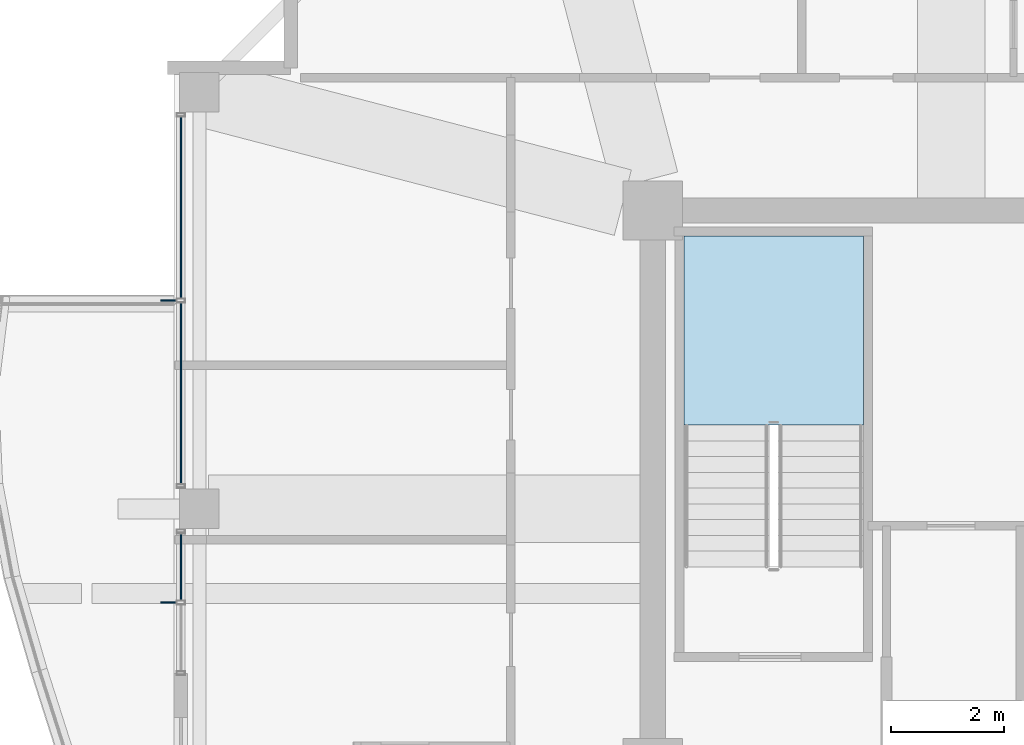
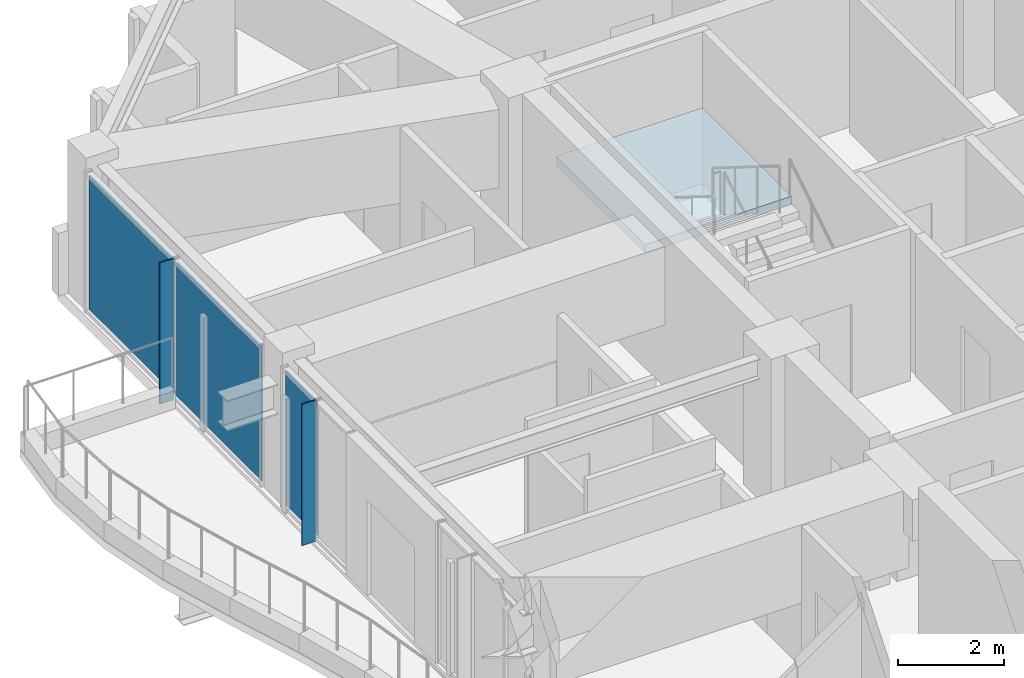
# One storey, part 21 of 31: 5 plates, 1 slab, 3 elements without a shape of their own.
"""IFC4 building model written with IfcOpenShell, lengths in metres."""

from ifc_helpers import new_model, si_unit, direction, frame, origin, origin_2d, place, context, subcontext, project, spatial, polyline, rectangle, outline, extrude, material, layer, layer_set, type_object, element, aggregate, save


model = new_model("IFC4")

# Units and contexts
model_context = context("Model", 3, precision=1e-05, world=origin(), true_north=direction((0.0, 1.0)))
body_context = subcontext(model_context, "Body", "Model", "MODEL_VIEW")
ifc_project = project(units=[si_unit("LENGTHUNIT", "METRE"), si_unit("AREAUNIT", "SQUARE_METRE"), si_unit("VOLUMEUNIT", "CUBIC_METRE"), si_unit("PLANEANGLEUNIT", "RADIAN"), si_unit("MASSUNIT", "GRAM", prefix="KILO")], contexts=[model_context])

# Site, building, storey
site_placement = place(None, origin())
site = spatial("IfcSite", under=ifc_project, at=site_placement, CompositionType="ELEMENT")
building_placement = place(site_placement, origin())
building = spatial("IfcBuilding", under=site, at=building_placement, Name="Kolvaren Belvedere", CompositionType="ELEMENT")
storey_placement = place(building_placement, frame((0.0, 0.0, 237.39990234375)))
storey = spatial("IfcBuildingStorey", under=building, at=storey_placement, Name="L69", CompositionType="ELEMENT", Elevation=237.39990234375)

# Curtain wall, plate
ifc_material_1 = material(Name="Anodised pale-metal aluminium AA 6063-T6", Category="aluminium")
curtain_wall_type = type_object("IfcCurtainWallType", Name="CW-Z5-HIGH", PredefinedType="NOTDEFINED", material=ifc_material_1)
curtain_wall_1_placement = place(storey_placement, origin())
curtain_wall_1 = element("IfcCurtainWall", 1, at=curtain_wall_1_placement, inside=storey, type_object=curtain_wall_type, Name="L69 Unitised Curtain Wall FCW-L69-W2-B1", PredefinedType="NOTDEFINED")
ifc_material_2 = material(Name="Low-iron triple insulated glass", Category="glass")
ifc_layer_1 = layer(ifc_material_2, 0.028076171875)
ifc_layer_set_1 = layer_set([ifc_layer_1], Name="Low-iron triple insulated glass")
plate_type_1 = type_object("IfcPlateType", Name="CW-PNL-VIS28", PredefinedType="CURTAIN_PANEL", material=ifc_layer_set_1)
plate_1_placement = place(storey_placement, frame((-18.280029296875, 3.56640625, 0.080078125), z_axis=(0.0, 0.0, 1.0), x_axis=(0.0, 1.0, 0.0)))
plate_1 = element("IfcPlate", 2, at=plate_1_placement, type_object=plate_type_1, Name="FCW-L69-W2-B1 Vision Glazing Panel 2", PredefinedType="CURTAIN_PANEL", context=body_context, shape_type="SweptSolid", body=[
    extrude(rectangle(XDim=1.177490234375, YDim=0.028076171875, at=origin_2d()), origin(), (0.0, 0.0, 1.0), 3.090087890625),
])
aggregate(curtain_wall_1, [plate_1])

# Curtain wall, plates
curtain_wall_2_placement = place(storey_placement, origin())
curtain_wall_2 = element("IfcCurtainWall", 3, at=curtain_wall_2_placement, inside=storey, type_object=curtain_wall_type, Name="L69 Unitised Curtain Wall FCW-L69-W2-B2", PredefinedType="NOTDEFINED")
plate_2_placement = place(storey_placement, frame((-18.280029296875, 6.652587890625, 0.080078125), z_axis=(0.0, 0.0, 1.0), x_axis=(0.0, 1.0, 0.0)))
plate_2 = element("IfcPlate", 4, at=plate_2_placement, type_object=plate_type_1, Name="FCW-L69-W2-B2 Vision Glazing Panel 1", PredefinedType="CURTAIN_PANEL", context=body_context, shape_type="SweptSolid", body=[
    extrude(rectangle(XDim=3.215087890625, YDim=0.028076171875, at=origin_2d()), origin(), (0.0, 0.0, 1.0), 3.090087890625),
])
plate_3_placement = place(storey_placement, frame((-18.280029296875, 9.947509765625, 0.080078125), z_axis=(0.0, 0.0, 1.0), x_axis=(0.0, 1.0, 0.0)))
plate_3 = element("IfcPlate", 5, at=plate_3_placement, type_object=plate_type_1, Name="FCW-L69-W2-B2 Vision Glazing Panel 2", PredefinedType="CURTAIN_PANEL", context=body_context, shape_type="SweptSolid", body=[
    extrude(rectangle(XDim=3.215087890625, YDim=0.028076171875, at=origin_2d()), origin(), (0.0, 0.0, 1.0), 3.090087890625),
])
aggregate(curtain_wall_2, [plate_2, plate_3])

# Plates
ifc_material_3 = material(Name="Anodised pale-metal aluminium AA 6063-T6", Category="aluminium")
ifc_layer_2 = layer(ifc_material_3, 0.030029296875)
ifc_layer_set_2 = layer_set([ifc_layer_2], Name="Anodised pale-metal aluminium AA 6063-T6")
plate_type_2 = type_object("IfcPlateType", Name="FIN-VERT-300", PredefinedType="USERDEFINED", material=ifc_layer_set_2)
for number, where, z_axis, x_axis, name in (
    (6, (-18.489990234375, 2.9375, 0.0), (0.0, 0.0, 1.0), (1.0, 0.0, 0.0), "L69 Pale-Metal Vertical Shading Fin FCW-L69-W2-B1-1"),
    (7, (-18.489990234375, 8.300048828125, 0.0), (0.0, 0.0, 1.0), (1.0, 0.0, 0.0), "L69 Pale-Metal Vertical Shading Fin FCW-L69-W2-B2-1"),
):
    element("IfcPlate", number, at=place(storey_placement, frame(where, z_axis=z_axis, x_axis=x_axis)), inside=storey, type_object=plate_type_2, Name=name, ObjectType="VERTICAL FIN", PredefinedType="USERDEFINED", context=body_context, shape_type="SweptSolid", body=[
        extrude(rectangle(XDim=0.300048828125, YDim=0.030029296875, at=origin_2d()), origin(), (0.0, 0.0, 1.0), 3.25),
    ])

# Stair, slab
ifc_material_4 = material(Name="Concrete C50/60", Category="concrete")
stair_type = type_object("IfcStairType", Name="ST-CORE-1520", PredefinedType="HALF_TURN_STAIR", material=ifc_material_4)
stair_placement = place(storey_placement, origin())
stair = element("IfcStair", 8, at=stair_placement, inside=storey, type_object=stair_type, Name="L69 Protected Exit Stair ST-1", PredefinedType="HALF_TURN_STAIR")
ifc_material_5 = material(Name="Concrete C50/60", Category="concrete")
ifc_layer_3 = layer(ifc_material_5, 0.260009765625)
ifc_layer_set_3 = layer_set([ifc_layer_3], Name="Concrete C50/60")
slab_type = type_object("IfcSlabType", Name="SL-LAND-260", PredefinedType="LANDING", material=ifc_layer_set_3)
slab_placement = place(storey_placement, frame((0.0, 0.0, 1.550048828125)))
slab = element("IfcSlab", 9, at=slab_placement, type_object=slab_type, Name="ST-1 landing 1", PredefinedType="LANDING", context=body_context, shape_type="SweptSolid", body=[
    extrude(outline(polyline([(-6.159912109375, 6.090087890625), (-6.159912109375, 9.449951171875), (-9.35009765625, 9.449951171875), (-9.35009765625, 6.090087890625), (-6.159912109375, 6.090087890625)])), origin(), (0.0, 0.0, 1.0), 0.199951171875),
])
aggregate(stair, [slab])

save(model, "model.ifc")
